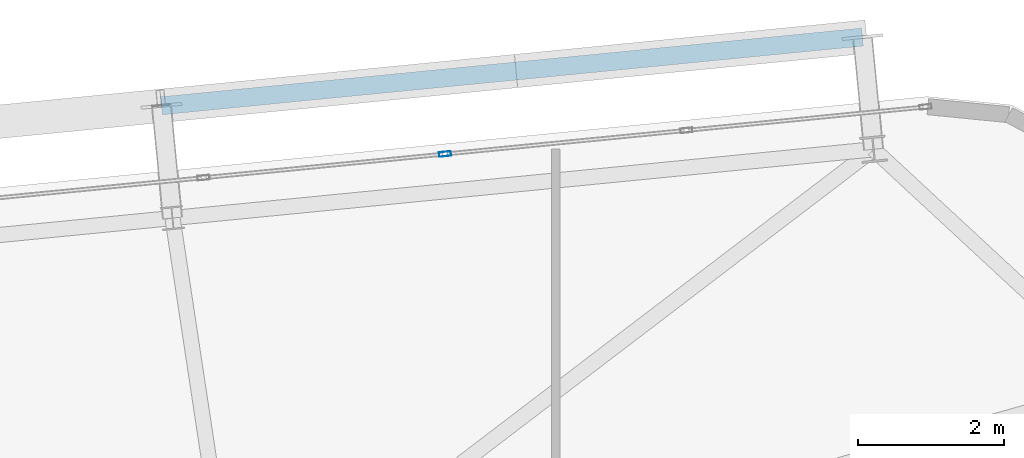
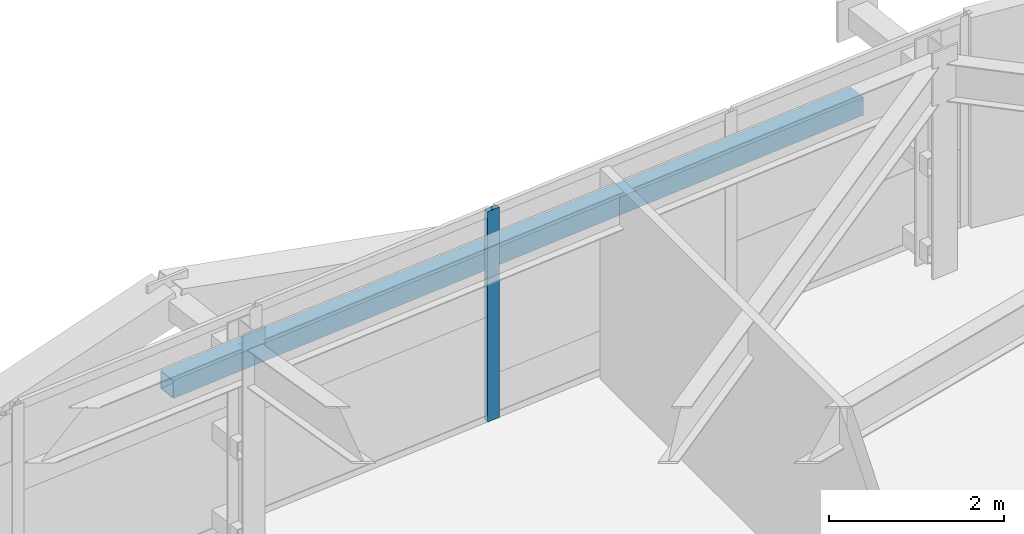
# One storey, part 33 of 54: 2 members, 1 element without a shape of its own.
"""IFC4 building model written with IfcOpenShell, lengths in metres."""

from ifc_helpers import new_model, si_unit, direction, frame, origin, origin_2d, place, context, subcontext, project, spatial, hollow_rectangle, extrude, source, transform, mapped, material, layer, layer_set, material_profile, profile_set, type_object, element, aggregate, save


model = new_model("IFC4")

# Units and contexts
model_context = context("Model", 3, precision=1e-05, world=origin(), true_north=direction((0.0, 1.0)))
body_context = subcontext(model_context, "Body", "Model", "MODEL_VIEW")
ifc_project = project(units=[si_unit("LENGTHUNIT", "METRE"), si_unit("AREAUNIT", "SQUARE_METRE"), si_unit("VOLUMEUNIT", "CUBIC_METRE"), si_unit("PLANEANGLEUNIT", "RADIAN"), si_unit("MASSUNIT", "GRAM", prefix="KILO")], contexts=[model_context])

# Site, building, storey
site_placement = place(None, origin())
site = spatial("IfcSite", under=ifc_project, at=site_placement, CompositionType="ELEMENT")
building_placement = place(site_placement, origin())
building = spatial("IfcBuilding", under=site, at=building_placement, Name="Taldren Reach Tower", CompositionType="ELEMENT")
storey_placement = place(building_placement, frame((0.0, 0.0, 102.89990234375)))
storey = spatial("IfcBuildingStorey", under=building, at=storey_placement, Name="L31", CompositionType="ELEMENT", Elevation=102.89990234375)

# Member
ifc_material_1 = material(Name="Steel Gr 350 (C350L0)", Category="steel")
ifc_material_profile_1 = material_profile(ifc_material_1, hollow_rectangle(XDim=0.25, YDim=0.25, WallThickness=0.010009765625, at=origin_2d()), Name="250x250x10.0SHS")
ifc_profile_set_1 = profile_set([ifc_material_profile_1], Name="Steel Gr 350 (C350L0)")
member_type_1 = type_object("IfcMemberType", Name="MB-POST250", PredefinedType="POST", material=ifc_profile_set_1)
shared_shape_1 = source(origin(), body_context, "Body", "SweptSolid", [
    extrude(hollow_rectangle(XDim=0.25, YDim=0.25, WallThickness=0.010009765625, at=origin_2d()), origin(), (0.0, 0.0, 1.0), 9.679931640625),
])
member_1_placement = place(storey_placement, frame((49.980712890625, 39.27783203125, 1.43505859375), z_axis=(0.995227612658, 0.097580730699, 0.0), x_axis=(-0.097580730699, 0.995227612658, 0.0)))
element("IfcMember", 1, at=member_1_placement, inside=storey, type_object=member_type_1, Name="Exoskeleton mid-height ring chord B2-N5 L31", PredefinedType="POST", context=body_context, shape_type="MappedRepresentation", body=[
    mapped(shared_shape_1, transform((0.0, 0.0, 0.0), scale=1.0)),
])

# Curtain wall, member
ifc_material_2 = material(Name="Aluminium and Low-E Glass Unitised System", Category="aluminium")
ifc_layer = layer(ifc_material_2, 0.159912109375)
ifc_layer_set = layer_set([ifc_layer], Name="Aluminium and Low-E Glass Unitised System")
curtain_wall_type = type_object("IfcCurtainWallType", Name="CW-SYS-3", PredefinedType="NOTDEFINED", material=ifc_layer_set)
curtain_wall_placement = place(storey_placement, origin())
curtain_wall = element("IfcCurtainWall", 2, at=curtain_wall_placement, inside=storey, type_object=curtain_wall_type, Name="Unitised curtain wall CW-L31-N", PredefinedType="NOTDEFINED")
ifc_material_3 = material(Name="Anodised Aluminium 6063-T6", Category="aluminium")
ifc_material_profile_2 = material_profile(ifc_material_3, hollow_rectangle(XDim=0.06494140625, YDim=0.1650390625, WallThickness=0.00390625, at=origin_2d()), Name="ALU-165x65x4RHS")
ifc_profile_set_2 = profile_set([ifc_material_profile_2], Name="Anodised Aluminium 6063-T6")
member_type_2 = type_object("IfcMemberType", Name="CW-MUL-165", PredefinedType="MULLION", material=ifc_profile_set_2)
shared_shape_2 = source(origin(), body_context, "Body", "SweptSolid", [
    extrude(hollow_rectangle(XDim=0.06494140625, YDim=0.1650390625, WallThickness=0.00390625, at=origin_2d()), origin(), (0.0, 0.0, 1.0), 2.93017578125),
])
member_2_placement = place(storey_placement, frame((53.87744140625, 38.614990234375, 0.0), z_axis=(0.0, 0.0, 1.0), x_axis=(0.097582999046, -0.995227390247, 0.0)))
member_2 = element("IfcMember", 3, at=member_2_placement, type_object=member_type_2, Name="CW-3 mullion 3", PredefinedType="MULLION", context=body_context, shape_type="MappedRepresentation", body=[
    mapped(shared_shape_2, transform((0.0, 0.0, 0.0), scale=1.0)),
])
aggregate(curtain_wall, [member_2])

save(model, "model.ifc")
